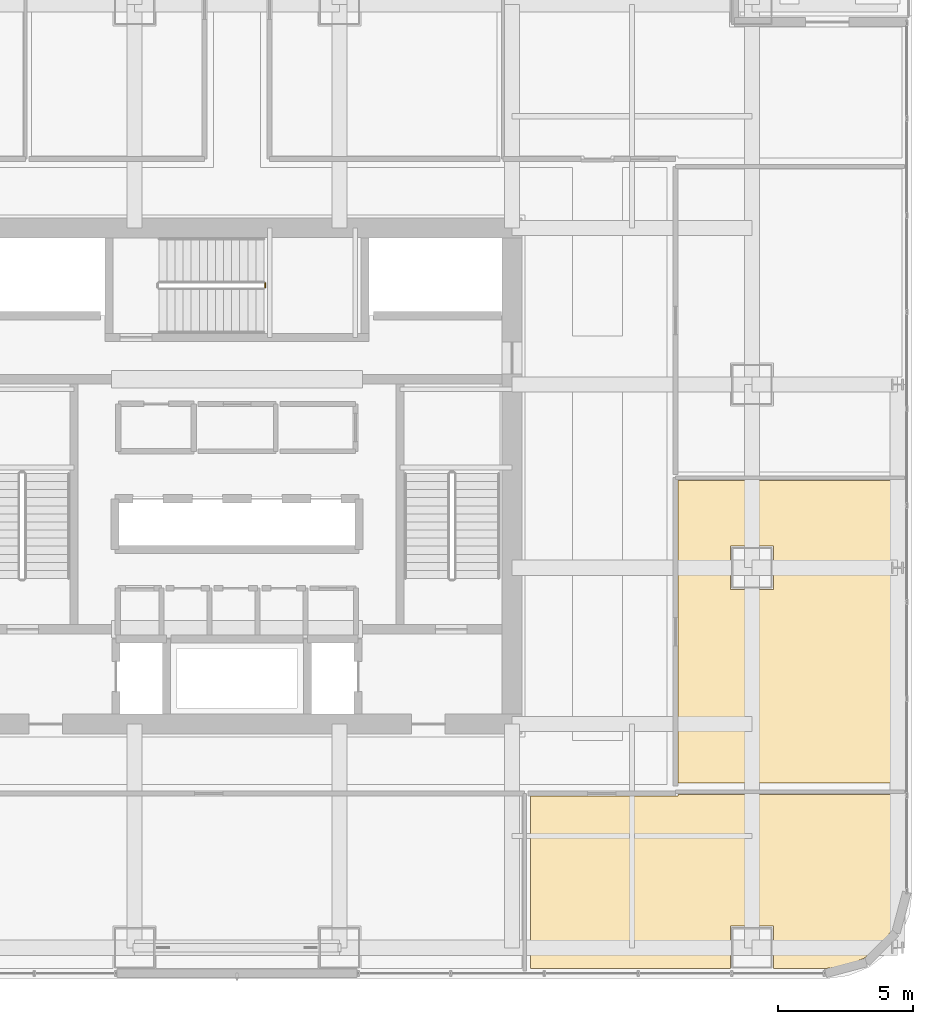
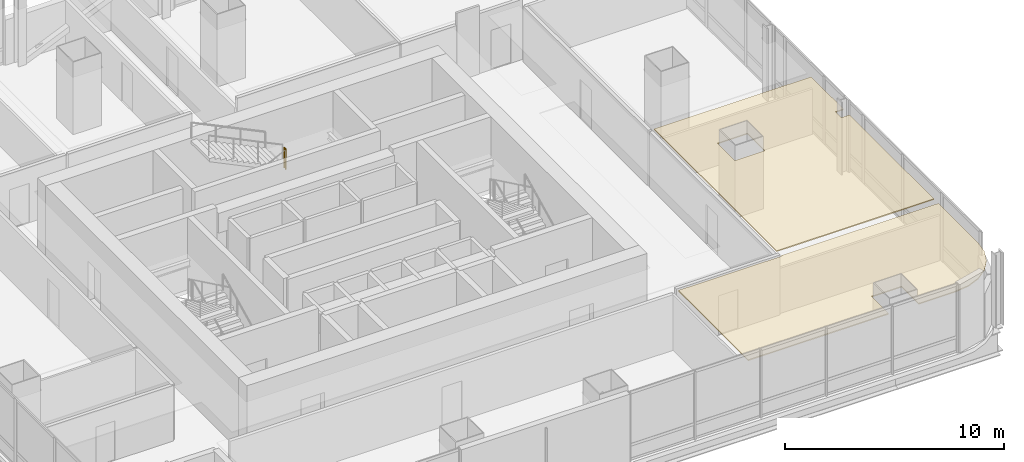
# One storey, part 34 of 37: 2 coverings, 1 railing.
"""IFC4 building model written with IfcOpenShell, lengths in metres."""

from ifc_helpers import new_model, si_unit, direction, frame, origin, origin_2d, place, context, subcontext, project, spatial, polyline, circle, outline, extrude, material, layer, layer_set, type_object, element, save


model = new_model("IFC4")

# Units and contexts
model_context = context("Model", 3, precision=1e-05, world=origin(), true_north=direction((0.0, 1.0)))
body_context = subcontext(model_context, "Body", "Model", "MODEL_VIEW")
ifc_project = project(units=[si_unit("LENGTHUNIT", "METRE"), si_unit("AREAUNIT", "SQUARE_METRE"), si_unit("VOLUMEUNIT", "CUBIC_METRE"), si_unit("PLANEANGLEUNIT", "RADIAN"), si_unit("MASSUNIT", "GRAM", prefix="KILO")], contexts=[model_context])

# Site, building, storey
site_placement = place(None, origin())
site = spatial("IfcSite", under=ifc_project, at=site_placement, CompositionType="ELEMENT")
building_placement = place(site_placement, origin())
building = spatial("IfcBuilding", under=site, at=building_placement, Name="Punatoya Terracotta Tower", CompositionType="ELEMENT")
storey_placement = place(building_placement, frame((0.0, 0.0, 109.199951171875)))
storey = spatial("IfcBuildingStorey", under=building, at=storey_placement, Name="L25", CompositionType="ELEMENT", Elevation=109.199951171875)

# Coverings
ifc_material_1 = material(Name="Acoustic Mineral Fibre Ceiling")
ifc_layer = layer(ifc_material_1, 0.06005859375)
ifc_layer_set = layer_set([ifc_layer], Name="Acoustic Mineral Fibre Ceiling")
covering_type = type_object("IfcCoveringType", Name="COV-CEIL-60", PredefinedType="CEILING", material=ifc_layer_set)
covering_1_placement = place(storey_placement, frame((0.0, 0.0, 3.199951171875)))
element("IfcCovering", 1, at=covering_1_placement, inside=storey, type_object=covering_type, Name="L25 Open-Plan Analytical Practice Office Acoustic Ceiling", PredefinedType="CEILING", context=body_context, shape_type="SweptSolid", body=[
    extrude(outline(polyline([(16.3701171875, -11.8701171875), (10.89404296875, -11.8701171875), (10.89404296875, -18.27001953125), (18.300048828125, -18.27001953125), (18.300048828125, -16.699951171875), (19.89990234375, -16.699951171875), (19.89990234375, -18.27001953125), (21.8251953125, -18.27001953125), (22.5791015625, -18.1708984375), (23.25830078125, -17.889404296875), (23.841796875, -17.441650390625), (24.289306640625, -16.8583984375), (24.57080078125, -16.178955078125), (24.669921875, -15.425048828125), (24.669921875, -11.81005859375), (16.3701171875, -11.81005859375), (16.3701171875, -11.8701171875)])), origin(), (0.0, 0.0, 1.0), 0.06005859375),
])
covering_2_placement = place(storey_placement, frame((0.0, 0.0, 3.199951171875)))
element("IfcCovering", 2, at=covering_2_placement, inside=storey, type_object=covering_type, Name="L25 Open-Plan Project Design Office Acoustic Ceiling", PredefinedType="CEILING", context=body_context, shape_type="SweptSolid", body=[
    extrude(outline(polyline([(24.669921875, -3.126953125), (24.669921875, -0.159912109375), (16.3701171875, -0.159912109375), (16.3701171875, -11.389892578125), (24.669921875, -11.389892578125), (24.669921875, -3.673095703125), (24.241943359375, -3.673095703125), (24.241943359375, -3.126953125), (24.669921875, -3.126953125)]), holes=[polyline([(19.89990234375, -2.60009765625), (19.89990234375, -4.199951171875), (18.300048828125, -4.199951171875), (18.300048828125, -2.60009765625), (19.89990234375, -2.60009765625)])]), origin(), (0.0, 0.0, 1.0), 0.06005859375),
])

# Railing
ifc_material_2 = material(Name="Steel S355", Category="steel")
railing_type = type_object("IfcRailingType", Name="RLG-GRD-1150", PredefinedType="GUARDRAIL", material=ifc_material_2)
railing_placement = place(storey_placement, frame((1.050048828125, 7.0, 2.025146484375)))
element("IfcRailing", 3, at=railing_placement, inside=storey, type_object=railing_type, Name="L25 ST-3 stair guard 2", PredefinedType="GUARDRAIL", context=body_context, shape_type="SweptSolid", body=[
    extrude(circle(Radius=0.02392578125, at=origin_2d()), frame((0.0, 0.0, 1.1259765625), z_axis=(0.0, 1.0, 0.0), x_axis=(-1.0, 0.0, 0.0)), (0.0, 0.0, 1.0), 0.14990234375),
    extrude(circle(Radius=0.02099609375, at=origin_2d()), origin(), (0.0, 0.0, 1.0), 1.101806640625),
    extrude(circle(Radius=0.02099609375, at=origin_2d()), frame((0.0, 0.14990234375, 0.0)), (0.0, 0.0, 1.0), 1.101806640625),
])

save(model, "model.ifc")
